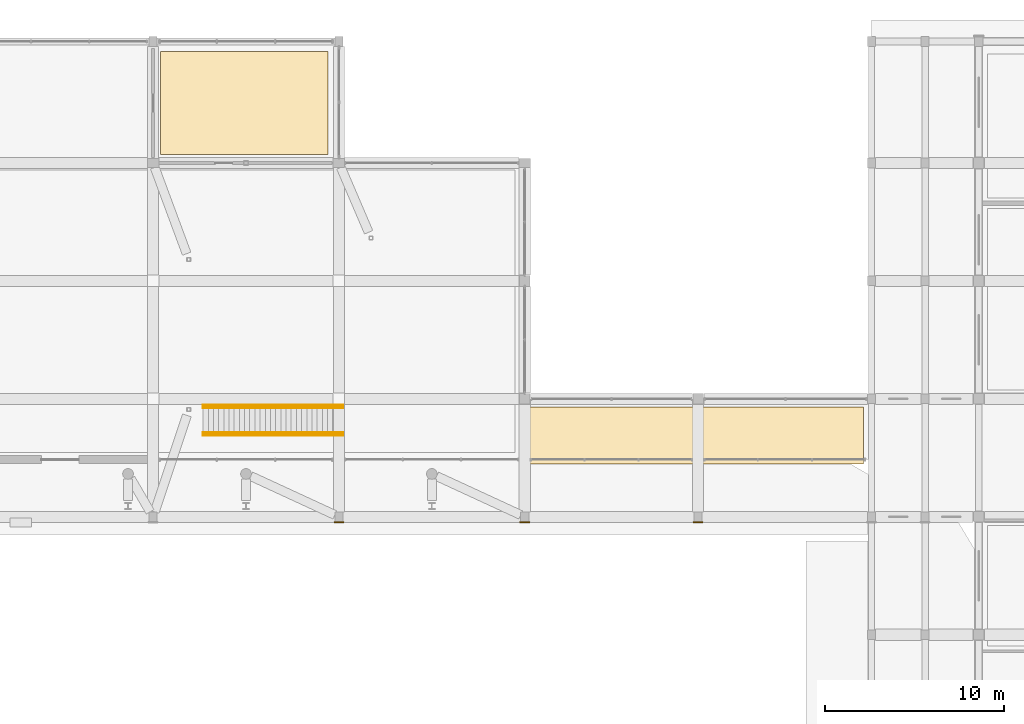
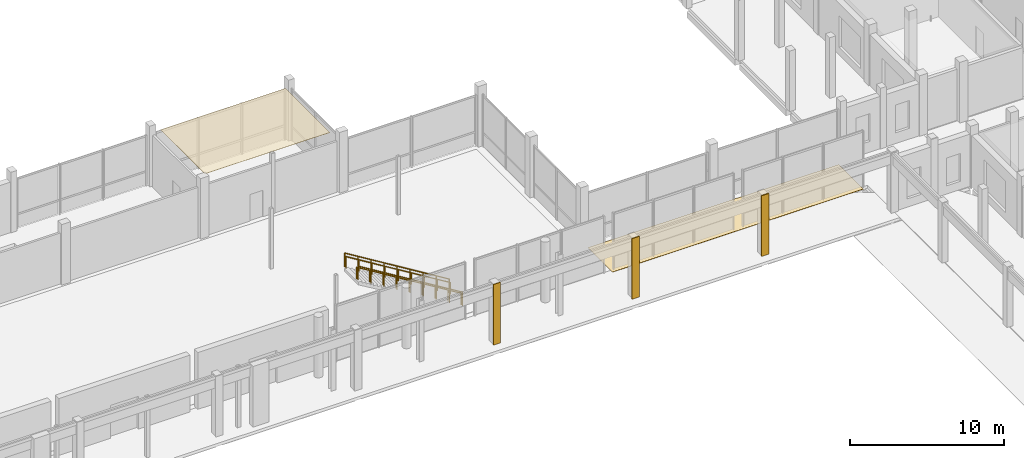
# One storey, part 82 of 88: 5 coverings, 4 railings.
"""IFC4 building model written with IfcOpenShell, lengths in metres."""

from ifc_helpers import new_model, si_unit, derived_unit, direction, frame, origin, origin_2d, place, context, subcontext, project, spatial, polyline, rectangle, circle, outline, extrude, material, layer, layer_set, type_object, element, save


model = new_model("IFC4")

# Units and contexts
model_context = context("Model", 3, precision=1e-05, world=origin(), true_north=direction((0.0, 1.0)))
body_context = subcontext(model_context, "Body", "Model", "MODEL_VIEW")
ifc_project = project(units=[si_unit("LENGTHUNIT", "METRE"), si_unit("AREAUNIT", "SQUARE_METRE"), si_unit("VOLUMEUNIT", "CUBIC_METRE"), si_unit("PLANEANGLEUNIT", "RADIAN"), si_unit("MASSUNIT", "GRAM", prefix="KILO"), derived_unit("THERMALTRANSMITTANCEUNIT", [(si_unit("POWERUNIT", "WATT"), 1), (si_unit("LENGTHUNIT", "METRE"), -2), (si_unit("THERMODYNAMICTEMPERATUREUNIT", "KELVIN"), -1)])], contexts=[model_context])

# Site, building, storey
site_placement = place(None, origin())
site = spatial("IfcSite", under=ifc_project, at=site_placement, CompositionType="ELEMENT")
building_placement = place(site_placement, origin())
building = spatial("IfcBuilding", under=site, at=building_placement, Name="Braskholm Square Health Centre", CompositionType="ELEMENT")
storey_placement = place(building_placement, origin())
storey = spatial("IfcBuildingStorey", under=building, at=storey_placement, Name="L01", CompositionType="ELEMENT", Elevation=0.0)

# Covering
ifc_material_1 = material(Name="Fire-rated gypsum board barrier")
ifc_layer_1 = layer(ifc_material_1, 0.02490234375)
ifc_layer_set_1 = layer_set([ifc_layer_1], Name="Fire-rated gypsum board barrier")
covering_type_1 = type_object("IfcCoveringType", Name="AcousticClinicalCeilingTile", PredefinedType="CEILING", material=ifc_layer_set_1)
covering_1_placement = place(storey_placement, frame((0.0, 0.0, 4.465087890625)))
element("IfcCovering", 1, at=covering_1_placement, inside=storey, type_object=covering_type_1, Name="Acoustic ceiling L01-296", PredefinedType="CEILING", context=body_context, shape_type="SweptSolid", body=[
    extrude(outline(polyline([(100.02001953125, 107.469970703125), (109.3798828125, 107.469970703125), (109.3798828125, 113.22998046875), (100.02001953125, 113.22998046875), (100.02001953125, 107.469970703125)])), origin(), (0.0, 0.0, 1.0), 0.02490234375),
])

# Railings
ifc_material_2 = material(Name="Dark patinated chevron architectural bronze", Category="aluminium")
railing_type_1 = type_object("IfcRailingType", Name="BronzeChevronGuardrail1100", PredefinedType="GUARDRAIL", material=ifc_material_2)
for number, where, name in (
    (2, (110.22998046875, 91.75, 0.0), "Stair ST-06 side guard L"),
    (3, (110.22998046875, 93.449951171875, 0.0), "Stair ST-06 side guard R"),
):
    element("IfcRailing", number, at=place(storey_placement, frame(where)), inside=storey, type_object=railing_type_1, Name=name, PredefinedType="GUARDRAIL", context=body_context, shape_type="SweptSolid", body=[
        extrude(circle(Radius=0.02392578125, at=origin_2d()), frame((0.0, 0.0, 1.076171875), z_axis=(-0.852554257038, 0.0, 0.522638726853), x_axis=(0.0, -1.0, 0.0)), (0.0, 0.0, 1.0), 9.184326171875),
        extrude(circle(Radius=0.02099609375, at=origin_2d()), origin(), (0.0, 0.0, 1.0), 1.052001953125),
        extrude(circle(Radius=0.02099609375, at=origin_2d()), frame((-0.978759765625, 0.0, 0.60009765625)), (0.0, 0.0, 1.0), 1.052001953125),
        extrude(circle(Radius=0.02099609375, at=origin_2d()), frame((-1.95751953125, 0.0, 1.199951171875)), (0.0, 0.0, 1.0), 1.052001953125),
        extrude(circle(Radius=0.02099609375, at=origin_2d()), frame((-2.936279296875, 0.0, 1.800048828125)), (0.0, 0.0, 1.0), 1.052001953125),
        extrude(circle(Radius=0.02099609375, at=origin_2d()), frame((-3.9150390625, 0.0, 2.39990234375)), (0.0, 0.0, 1.0), 1.052001953125),
        extrude(circle(Radius=0.02099609375, at=origin_2d()), frame((-4.893798828125, 0.0, 3.0)), (0.0, 0.0, 1.0), 1.052001953125),
        extrude(circle(Radius=0.02099609375, at=origin_2d()), frame((-5.87255859375, 0.0, 3.60009765625)), (0.0, 0.0, 1.0), 1.052001953125),
        extrude(circle(Radius=0.02099609375, at=origin_2d()), frame((-6.851318359375, 0.0, 4.199951171875)), (0.0, 0.0, 1.0), 1.052001953125),
        extrude(circle(Radius=0.02099609375, at=origin_2d()), frame((-7.830078125, 0.0, 4.800048828125)), (0.0, 0.0, 1.0), 1.052001953125),
    ])

# Coverings
ifc_material_3 = material(Name="Polished geometric terrazzo flooring", Category="masonry")
ifc_layer_2 = layer(ifc_material_3, 0.02001953125)
ifc_layer_set_2 = layer_set([ifc_layer_2], Name="Polished geometric terrazzo flooring")
covering_type_2 = type_object("IfcCoveringType", Name="PolishedTerrazzoFloorFinish", PredefinedType="FLOORING", material=ifc_layer_set_2)
covering_2_placement = place(storey_placement, origin())
element("IfcCovering", 4, at=covering_2_placement, inside=storey, type_object=covering_type_2, Name="Polished terrazzo floor L01-294", PredefinedType="FLOORING", context=body_context, shape_type="SweptSolid", body=[
    extrude(outline(polyline([(120.550048828125, 90.14990234375), (139.35009765625, 90.14990234375), (139.35009765625, 93.35009765625), (120.550048828125, 93.35009765625), (120.550048828125, 90.14990234375)])), origin(), (0.0, 0.0, 1.0), 0.02001953125),
])
ifc_material_4 = material(Name="Precast concrete C40/50 architectural white", Category="concrete")
ifc_layer_3 = layer(ifc_material_4, 0.054931640625)
ifc_layer_set_3 = layer_set([ifc_layer_3], Name="Precast concrete C40/50 architectural white")
covering_type_3 = type_object("IfcCoveringType", Name="PrecastWhiteColumnCasing", PredefinedType="CLADDING", material=ifc_layer_set_3)
for number, where, z_axis, x_axis, name in (
    (5, (110.0, 86.89501953125, 0.0), (0.0, 0.0, 1.0), (1.0, 0.0, 0.0), "Giant-order white precast column casing 0209"),
    (6, (120.39990234375, 86.89501953125, 0.0), (0.0, 0.0, 1.0), (1.0, 0.0, 0.0), "Giant-order white precast column casing 0212"),
    (7, (130.10009765625, 86.89501953125, 0.0), (0.0, 0.0, 1.0), (1.0, 0.0, 0.0), "Giant-order white precast column casing 0215"),
):
    element("IfcCovering", number, at=place(storey_placement, frame(where, z_axis=z_axis, x_axis=x_axis)), inside=storey, type_object=covering_type_3, Name=name, PredefinedType="CLADDING", context=body_context, shape_type="SweptSolid", body=[
        extrude(rectangle(XDim=0.5400390625, YDim=0.06005859375, at=origin_2d()), origin(), (0.0, 0.0, 1.0), 4.800048828125),
    ])

# Railings
railing_type_2 = type_object("IfcRailingType", Name="StairTubularHandrail915", PredefinedType="HANDRAIL", material=ifc_material_2)
for number, where, name in (
    (8, (110.22998046875, 91.903076171875, 0.0), "Stair ST-06 tubular handrail L"),
    (9, (110.22998046875, 93.297119140625, 0.0), "Stair ST-06 tubular handrail R"),
):
    element("IfcRailing", number, at=place(storey_placement, frame(where)), inside=storey, type_object=railing_type_2, Name=name, PredefinedType="HANDRAIL", context=body_context, shape_type="SweptSolid", body=[
        extrude(circle(Radius=0.02392578125, at=origin_2d()), frame((0.0, 0.0, 0.89111328125), z_axis=(-0.852554257038, 0.0, 0.522638726853), x_axis=(0.0, -1.0, 0.0)), (0.0, 0.0, 1.0), 9.184326171875),
        extrude(circle(Radius=0.02099609375, at=origin_2d()), origin(), (0.0, 0.0, 1.0), 0.866943359375),
        extrude(circle(Radius=0.02099609375, at=origin_2d()), frame((-0.978759765625, 0.0, 0.60009765625)), (0.0, 0.0, 1.0), 0.866943359375),
        extrude(circle(Radius=0.02099609375, at=origin_2d()), frame((-1.95751953125, 0.0, 1.199951171875)), (0.0, 0.0, 1.0), 0.866943359375),
        extrude(circle(Radius=0.02099609375, at=origin_2d()), frame((-2.936279296875, 0.0, 1.800048828125)), (0.0, 0.0, 1.0), 0.866943359375),
        extrude(circle(Radius=0.02099609375, at=origin_2d()), frame((-3.9150390625, 0.0, 2.39990234375)), (0.0, 0.0, 1.0), 0.866943359375),
        extrude(circle(Radius=0.02099609375, at=origin_2d()), frame((-4.893798828125, 0.0, 3.0)), (0.0, 0.0, 1.0), 0.866943359375),
        extrude(circle(Radius=0.02099609375, at=origin_2d()), frame((-5.87255859375, 0.0, 3.60009765625)), (0.0, 0.0, 1.0), 0.866943359375),
        extrude(circle(Radius=0.02099609375, at=origin_2d()), frame((-6.851318359375, 0.0, 4.199951171875)), (0.0, 0.0, 1.0), 0.866943359375),
        extrude(circle(Radius=0.02099609375, at=origin_2d()), frame((-7.830078125, 0.0, 4.800048828125)), (0.0, 0.0, 1.0), 0.866943359375),
    ])

save(model, "model.ifc")
